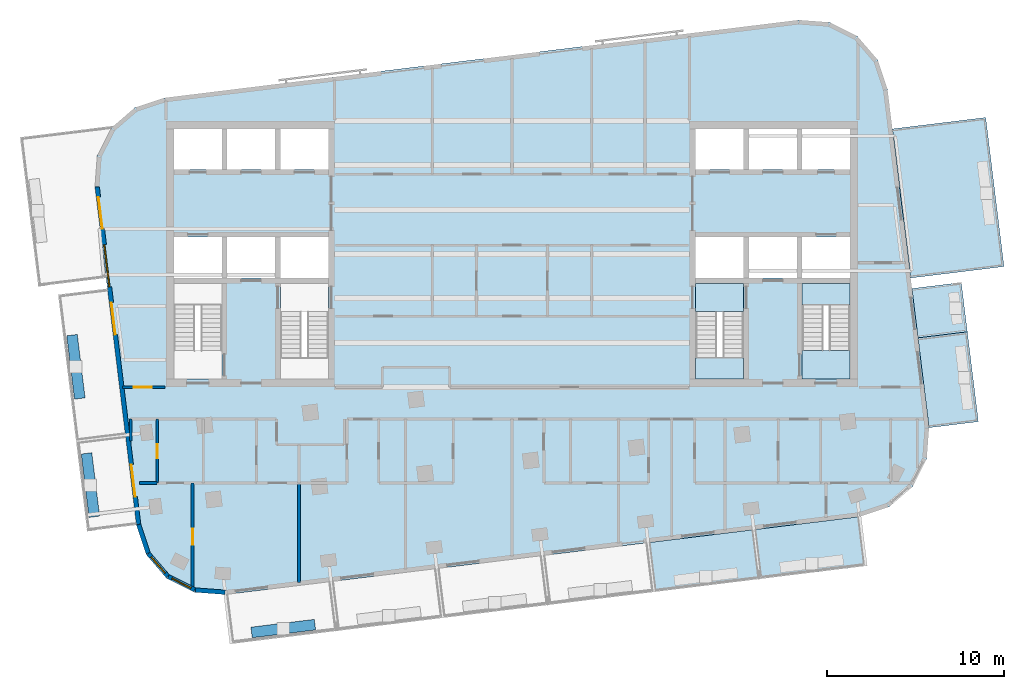
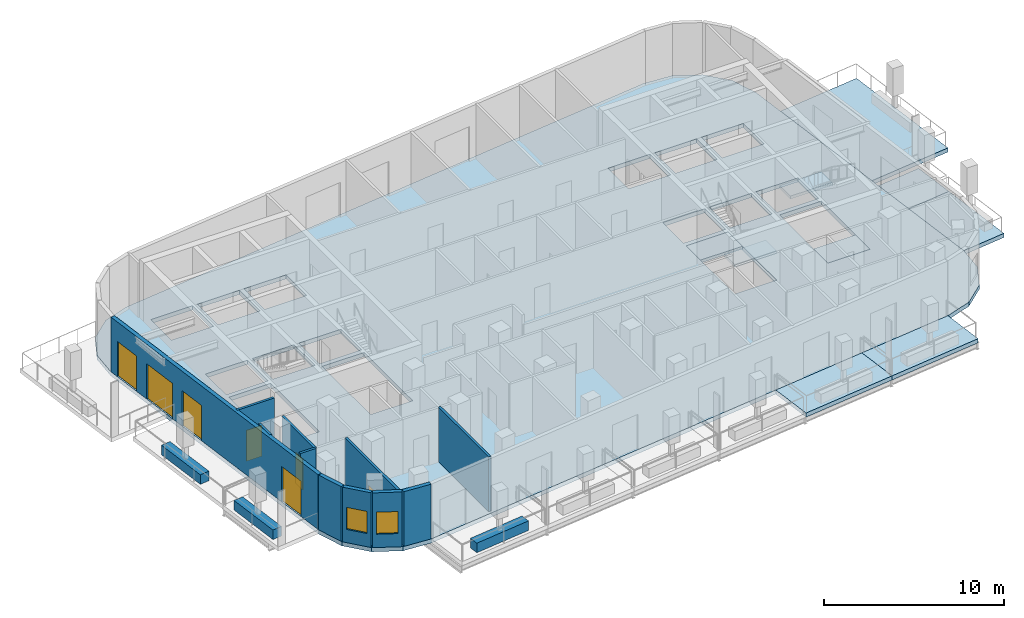
# One storey, part 2 of 11: 14 walls, 10 slabs, 6 doors, 3 windows, 9 openings, 2 elements without a shape of their own.
"""IFC4 building model written with IfcOpenShell, lengths in metres."""

from ifc_helpers import new_model, si_unit, direction, frame, frame_2d, origin, place, context, subcontext, project, spatial, polyline, rectangle, outline, extrude, material, layer, layer_set, type_object, element, fill, aggregate, save


model = new_model("IFC4")

# Units and contexts
model_context = context("Model", 3, precision=1e-05, world=origin(), true_north=direction((0.0, 1.0)))
body_context = subcontext(model_context, "Body", "Model", "MODEL_VIEW")
ifc_project = project(units=[si_unit("LENGTHUNIT", "METRE"), si_unit("AREAUNIT", "SQUARE_METRE"), si_unit("VOLUMEUNIT", "CUBIC_METRE"), si_unit("PLANEANGLEUNIT", "RADIAN"), si_unit("MASSUNIT", "GRAM", prefix="KILO")], contexts=[model_context])

# Site, building, storey
site_placement = place(None, origin())
site = spatial("IfcSite", under=ifc_project, at=site_placement, CompositionType="ELEMENT")
building_placement = place(site_placement, origin())
building = spatial("IfcBuilding", under=site, at=building_placement, Name="Torana Hotel and Residences", CompositionType="ELEMENT")
storey_placement = place(building_placement, frame((0.0, 0.0, 326.60009765625)))
storey = spatial("IfcBuildingStorey", under=building, at=storey_placement, Name="L86", CompositionType="ELEMENT", Elevation=326.60009765625)

# Slabs
ifc_material_1 = material(Name="Concrete C40/50", Category="concrete")
ifc_layer_1 = layer(ifc_material_1, 0.280029296875)
ifc_layer_set_1 = layer_set([ifc_layer_1], Name="BAL1 BALCONY SLAB 280")
slab_type_1 = type_object("IfcSlabType", Name="BAL1 BALCONY SLAB 280", PredefinedType="USERDEFINED", material=ifc_layer_set_1)
slab_1_placement = place(storey_placement, frame((0.0, 0.0, -0.280029296875)))
element("IfcSlab", 1, at=slab_1_placement, inside=storey, type_object=slab_type_1, Name="Balcony 05", ObjectType="BALCONY", PredefinedType="USERDEFINED", context=body_context, shape_type="SweptSolid", body=[
    extrude(outline(polyline([(8.014892578125, -26.542724609375), (13.97021484375, -25.8115234375), (13.62890625, -23.032470703125), (7.673583984375, -23.763671875), (8.014892578125, -26.542724609375)])), origin(), (0.0, 0.0, 1.0), 0.280029296875),
])
slab_2_placement = place(storey_placement, frame((0.0, 0.0, -0.280029296875)))
element("IfcSlab", 2, at=slab_2_placement, inside=storey, type_object=slab_type_1, Name="Balcony 06", ObjectType="BALCONY", PredefinedType="USERDEFINED", context=body_context, shape_type="SweptSolid", body=[
    extrude(outline(polyline([(13.97021484375, -25.8115234375), (19.92529296875, -25.080322265625), (19.584228515625, -22.30126953125), (13.62890625, -23.032470703125), (13.97021484375, -25.8115234375)])), origin(), (0.0, 0.0, 1.0), 0.280029296875),
])
slab_3_placement = place(storey_placement, frame((0.0, 0.0, -0.280029296875)))
element("IfcSlab", 3, at=slab_3_placement, inside=storey, type_object=slab_type_1, Name="Balcony 10", ObjectType="BALCONY", PredefinedType="USERDEFINED", context=body_context, shape_type="SweptSolid", body=[
    extrude(outline(polyline([(23.502197265625, -17.286376953125), (26.281494140625, -16.945068359375), (25.659912109375, -11.88330078125), (22.880615234375, -12.224365234375), (23.502197265625, -17.286376953125)])), origin(), (0.0, 0.0, 1.0), 0.280029296875),
])
slab_4_placement = place(storey_placement, frame((0.0, 0.0, -0.280029296875)))
element("IfcSlab", 4, at=slab_4_placement, inside=storey, type_object=slab_type_1, Name="Balcony 11", ObjectType="BALCONY", PredefinedType="USERDEFINED", context=body_context, shape_type="SweptSolid", body=[
    extrude(outline(polyline([(22.880615234375, -12.224365234375), (25.659912109375, -11.88330078125), (25.318603515625, -9.104248046875), (22.53955078125, -9.445556640625), (22.880615234375, -12.224365234375)])), origin(), (0.0, 0.0, 1.0), 0.280029296875),
])
slab_5_placement = place(storey_placement, frame((0.0, 0.0, -0.280029296875)))
element("IfcSlab", 5, at=slab_5_placement, inside=storey, type_object=slab_type_1, Name="Balcony 12", ObjectType="BALCONY", PredefinedType="USERDEFINED", context=body_context, shape_type="SweptSolid", body=[
    extrude(outline(polyline([(22.46630859375, -8.85009765625), (27.726806640625, -8.2041015625), (26.695556640625, 0.19580078125), (21.43505859375, -0.449951171875), (22.46630859375, -8.85009765625)])), origin(), (0.0, 0.0, 1.0), 0.280029296875),
])
ifc_material_2 = material(Name="Concrete C40/50", Category="concrete")
ifc_layer_2 = layer(ifc_material_2, 0.280029296875)
ifc_layer_set_2 = layer_set([ifc_layer_2], Name="FLOOR SLAB PT 280")
slab_type_2 = type_object("IfcSlabType", Name="FLOOR SLAB PT 280", PredefinedType="FLOOR", material=ifc_layer_set_2)
slab_6_placement = place(storey_placement, frame((0.0, 0.0, -0.280029296875)))
element("IfcSlab", 6, at=slab_6_placement, inside=storey, type_object=slab_type_2, Name="Floor slab", PredefinedType="FLOOR", context=body_context, shape_type="SweptSolid", body=[
    extrude(outline(polyline([(21.162353515625, 1.7705078125), (20.612548828125, 3.43798828125), (19.46630859375, 4.76806640625), (17.8984375, 5.558349609375), (16.1474609375, 5.6884765625), (-19.584228515625, 1.30126953125), (-21.251708984375, 0.75146484375), (-22.581787109375, -0.394775390625), (-23.3720703125, -1.962646484375), (-23.502197265625, -3.713623046875), (-21.162353515625, -22.7705078125), (-20.612548828125, -24.43798828125), (-19.46630859375, -25.76806640625), (-17.8984375, -26.558349609375), (-16.1474609375, -26.6884765625), (19.584228515625, -22.30126953125), (21.251708984375, -21.75146484375), (22.581787109375, -20.605224609375), (23.3720703125, -19.037353515625), (23.502197265625, -17.286376953125), (21.162353515625, 1.7705078125)]), holes=[polyline([(-13.050048828125, -14.550048828125), (-10.35009765625, -14.550048828125), (-10.35009765625, -9.14990234375), (-13.050048828125, -9.14990234375), (-13.050048828125, -14.550048828125)]), polyline([(-19.050048828125, -14.550048828125), (-16.35009765625, -14.550048828125), (-16.35009765625, -9.14990234375), (-19.050048828125, -9.14990234375), (-19.050048828125, -14.550048828125)]), polyline([(-19.050048828125, -2.75), (-16.35009765625, -2.75), (-16.35009765625, -0.449951171875), (-19.050048828125, -0.449951171875), (-19.050048828125, -2.75)]), polyline([(-13.050048828125, -2.75), (-10.35009765625, -2.75), (-10.35009765625, -0.449951171875), (-13.050048828125, -0.449951171875), (-13.050048828125, -2.75)]), polyline([(-16.050048828125, -2.75), (-13.35009765625, -2.75), (-13.35009765625, -0.449951171875), (-16.050048828125, -0.449951171875), (-16.050048828125, -2.75)]), polyline([(-13.050048828125, -8.85009765625), (-10.35009765625, -8.85009765625), (-10.35009765625, -6.550048828125), (-13.050048828125, -6.550048828125), (-13.050048828125, -8.85009765625)]), polyline([(-16.050048828125, -8.85009765625), (-13.35009765625, -8.85009765625), (-13.35009765625, -6.550048828125), (-16.050048828125, -6.550048828125), (-16.050048828125, -8.85009765625)]), polyline([(-19.050048828125, -8.85009765625), (-16.35009765625, -8.85009765625), (-16.35009765625, -6.550048828125), (-19.050048828125, -6.550048828125), (-19.050048828125, -8.85009765625)]), polyline([(10.35009765625, -14.550048828125), (13.050048828125, -14.550048828125), (13.050048828125, -9.14990234375), (10.35009765625, -9.14990234375), (10.35009765625, -14.550048828125)]), polyline([(16.35009765625, -14.550048828125), (19.050048828125, -14.550048828125), (19.050048828125, -9.14990234375), (16.35009765625, -9.14990234375), (16.35009765625, -14.550048828125)]), polyline([(16.35009765625, -2.75), (19.050048828125, -2.75), (19.050048828125, -0.449951171875), (16.35009765625, -0.449951171875), (16.35009765625, -2.75)]), polyline([(10.35009765625, -2.75), (13.050048828125, -2.75), (13.050048828125, -0.449951171875), (10.35009765625, -0.449951171875), (10.35009765625, -2.75)]), polyline([(13.35009765625, -2.75), (16.050048828125, -2.75), (16.050048828125, -0.449951171875), (13.35009765625, -0.449951171875), (13.35009765625, -2.75)]), polyline([(10.35009765625, -8.85009765625), (13.050048828125, -8.85009765625), (13.050048828125, -6.550048828125), (10.35009765625, -6.550048828125), (10.35009765625, -8.85009765625)]), polyline([(13.35009765625, -8.85009765625), (16.050048828125, -8.85009765625), (16.050048828125, -6.550048828125), (13.35009765625, -6.550048828125), (13.35009765625, -8.85009765625)]), polyline([(16.35009765625, -8.85009765625), (19.050048828125, -8.85009765625), (19.050048828125, -6.550048828125), (16.35009765625, -6.550048828125), (16.35009765625, -8.85009765625)])]), origin(), (0.0, 0.0, 1.0), 0.280029296875),
])

# Stair, slabs
ifc_material_3 = material(Name="Concrete C40/50 precast", Category="concrete")
stair_type_1 = type_object("IfcStairType", Name="STAIR ST3 HALF TURN 1200", PredefinedType="HALF_TURN_STAIR", material=ifc_material_3)
stair_1_placement = place(storey_placement, origin())
stair_1 = element("IfcStair", 7, at=stair_1_placement, inside=storey, type_object=stair_type_1, Name="Stair ST3 L86", PredefinedType="HALF_TURN_STAIR")
ifc_material_4 = material(Name="Concrete C40/50 precast", Category="concrete")
ifc_layer_3 = layer(ifc_material_4, 0.199951171875)
ifc_layer_set_3 = layer_set([ifc_layer_3], Name="STAIR LANDING 200")
slab_type_3 = type_object("IfcSlabType", Name="STAIR LANDING 200", PredefinedType="LANDING", material=ifc_layer_set_3)
slab_7_placement = place(storey_placement, frame((0.0, 0.0, 1.7998046875)))
slab_7 = element("IfcSlab", 8, at=slab_7_placement, type_object=slab_type_3, Name="ST3 landing 1", PredefinedType="LANDING", context=body_context, shape_type="SweptSolid", body=[
    extrude(outline(polyline([(10.35009765625, -14.550048828125), (13.050048828125, -14.550048828125), (13.050048828125, -13.35009765625), (10.35009765625, -13.35009765625), (10.35009765625, -14.550048828125)])), origin(), (0.0, 0.0, 1.0), 0.2001953125),
])
slab_8_placement = place(storey_placement, frame((0.0, 0.0, -0.2001953125)))
slab_8 = element("IfcSlab", 9, at=slab_8_placement, type_object=slab_type_3, Name="ST3 landing 2", PredefinedType="LANDING", context=body_context, shape_type="SweptSolid", body=[
    extrude(outline(polyline([(10.35009765625, -10.75), (13.050048828125, -10.75), (13.050048828125, -9.14990234375), (10.35009765625, -9.14990234375), (10.35009765625, -10.75)])), origin(), (0.0, 0.0, 1.0), 0.2001953125),
])
aggregate(stair_1, [slab_7, slab_8])

ifc_material_5 = material(Name="Concrete C40/50 precast", Category="concrete")
stair_type_2 = type_object("IfcStairType", Name="STAIR ST4 HALF TURN 1200", PredefinedType="HALF_TURN_STAIR", material=ifc_material_5)
stair_2_placement = place(storey_placement, origin())
stair_2 = element("IfcStair", 10, at=stair_2_placement, inside=storey, type_object=stair_type_2, Name="Stair ST4 L86", PredefinedType="HALF_TURN_STAIR")
slab_9_placement = place(storey_placement, frame((0.0, 0.0, 1.7998046875)))
slab_9 = element("IfcSlab", 11, at=slab_9_placement, type_object=slab_type_3, Name="ST4 landing 1", PredefinedType="LANDING", context=body_context, shape_type="SweptSolid", body=[
    extrude(outline(polyline([(16.35009765625, -10.35009765625), (19.050048828125, -10.35009765625), (19.050048828125, -9.14990234375), (16.35009765625, -9.14990234375), (16.35009765625, -10.35009765625)])), origin(), (0.0, 0.0, 1.0), 0.2001953125),
])
slab_10_placement = place(storey_placement, frame((0.0, 0.0, -0.2001953125)))
slab_10 = element("IfcSlab", 12, at=slab_10_placement, type_object=slab_type_3, Name="ST4 landing 2", PredefinedType="LANDING", context=body_context, shape_type="SweptSolid", body=[
    extrude(outline(polyline([(16.35009765625, -14.550048828125), (19.050048828125, -14.550048828125), (19.050048828125, -12.949951171875), (16.35009765625, -12.949951171875), (16.35009765625, -14.550048828125)])), origin(), (0.0, 0.0, 1.0), 0.2001953125),
])
aggregate(stair_2, [slab_9, slab_10])

# Wall, openings, doors, window
ifc_material_6 = material(Name="Black aluminium composite panel", Category="aluminium")
ifc_layer_4 = layer(ifc_material_6, 0.00390625, Name="Cladding", Category="cladding")
ifc_material_7 = material(Name="Ventilated air cavity")
ifc_layer_5 = layer(ifc_material_7, 0.0400390625, Name="Ventilated cavity", Category="cavity")
ifc_material_8 = material(Name="Mineral wool insulation")
ifc_layer_6 = layer(ifc_material_8, 0.090087890625, Name="Insulation", Category="insulation")
ifc_material_9 = material(Name="Steel S280GD", Category="steel")
ifc_layer_7 = layer(ifc_material_9, 0.092041015625, Name="Steel stud frame", Category="structure")
ifc_material_10 = material(Name="Fire rated plasterboard")
ifc_layer_8 = layer(ifc_material_10, 0.011962890625, Name="Inner board", Category="finish")
ifc_layer_9 = layer(ifc_material_10, 0.011962890625, Name="Second board", Category="finish")
ifc_layer_set_4 = layer_set([ifc_layer_4, ifc_layer_5, ifc_layer_6, ifc_layer_7, ifc_layer_8, ifc_layer_9], Name="EW1 EXTERNAL WALL BLACK METAL CLAD 250")
wall_type_1 = type_object("IfcWallType", Name="EW1 EXTERNAL WALL BLACK METAL CLAD 250", PredefinedType="SOLIDWALL", material=ifc_layer_set_4)
wall_1_placement = place(storey_placement, frame((-23.375, -3.722900390625, 0.0), z_axis=(0.0, 0.0, 1.0), x_axis=(0.121862878281, -0.992546945437, 0.0)))
wall_1 = element("IfcWall", 13, at=wall_1_placement, inside=storey, type_object=wall_type_1, Name="External wall L86 e0.9", PredefinedType="SOLIDWALL", context=body_context, shape_type="SweptSolid", body=[
    extrude(rectangle(XDim=19.150634765625, YDim=0.25, at=frame_2d((9.5751953125, 0.0))), origin(), (0.0, 0.0, 1.0), 3.719970703125),
])
opening_1_placement = place(wall_1_placement, frame((0.574951171875, 0.0, 0.0)))
opening_1 = element("IfcOpeningElement", 14, at=opening_1_placement, cuts=wall_1, Name="Opening L86-E10", PredefinedType="OPENING", context=body_context, shape_type="SweptSolid", body=[
    extrude(rectangle(XDim=1.800048828125, YDim=2.39990234375, at=frame_2d((0.89990234375, 1.199951171875))), frame((0.0, 0.135009765625, 0.0), z_axis=(0.0, -1.0, 0.0), x_axis=(1.0, 0.0, 0.0)), (0.0, 0.0, 1.0), 0.27001953125),
])
opening_2_placement = place(wall_1_placement, frame((3.275390625, 0.0, 0.0)))
opening_2 = element("IfcOpeningElement", 15, at=opening_2_placement, cuts=wall_1, Name="Opening W6", PredefinedType="OPENING", context=body_context, shape_type="SweptSolid", body=[
    extrude(rectangle(XDim=2.39990234375, YDim=2.39990234375, at=frame_2d((1.199951171875, 1.199951171875))), frame((0.0, 0.135009765625, 0.0), z_axis=(0.0, -1.0, 0.0), x_axis=(1.0, 0.0, 0.0)), (0.0, 0.0, 1.0), 0.27001953125),
])
opening_3_placement = place(wall_1_placement, frame((6.57568359375, 0.0, 0.0)))
opening_3 = element("IfcOpeningElement", 16, at=opening_3_placement, cuts=wall_1, Name="Opening L86-E11", PredefinedType="OPENING", context=body_context, shape_type="SweptSolid", body=[
    extrude(rectangle(XDim=1.800048828125, YDim=2.39990234375, at=frame_2d((0.89990234375, 1.199951171875))), frame((0.0, 0.135009765625, 0.0), z_axis=(0.0, -1.0, 0.0), x_axis=(1.0, 0.0, 0.0)), (0.0, 0.0, 1.0), 0.27001953125),
])
opening_4_placement = place(wall_1_placement, frame((15.77490234375, 0.0, 0.0)))
opening_4 = element("IfcOpeningElement", 17, at=opening_4_placement, cuts=wall_1, Name="Opening L86-E12", PredefinedType="OPENING", context=body_context, shape_type="SweptSolid", body=[
    extrude(rectangle(XDim=1.800048828125, YDim=2.39990234375, at=frame_2d((0.89990234375, 1.199951171875))), frame((0.0, 0.135009765625, 0.0), z_axis=(0.0, -1.0, 0.0), x_axis=(1.0, 0.0, 0.0)), (0.0, 0.0, 1.0), 0.27001953125),
])
ifc_material_11 = material(Name="Dark glass in black aluminium frame", Category="aluminium")
door_type_1 = type_object("IfcDoorType", Name="DB1 BALCONY DOOR 1800x2400", OperationType="DOUBLE_DOOR_SINGLE_SWING", PredefinedType="DOOR", material=ifc_material_11)
door_1_placement = place(opening_1_placement, origin())
door_1 = element("IfcDoor", 18, at=door_1_placement, inside=storey, type_object=door_type_1, Name="Balcony door L86", OperationType="DOUBLE_DOOR_SINGLE_SWING", OverallHeight=2.39990234375, OverallWidth=1.800048828125, PredefinedType="DOOR", context=body_context, shape_type="SweptSolid", body=[
    extrude(rectangle(XDim=1.800048828125, YDim=2.39990234375, at=frame_2d((0.89990234375, 1.199951171875))), frame((0.0, 0.02490234375, 0.0), z_axis=(0.0, -1.0, 0.0), x_axis=(1.0, 0.0, 0.0)), (0.0, 0.0, 1.0), 0.050048828125),
])
fill(opening_1, door_1)
door_2_placement = place(opening_3_placement, origin())
door_2 = element("IfcDoor", 19, at=door_2_placement, inside=storey, type_object=door_type_1, Name="Balcony door L86", OperationType="DOUBLE_DOOR_SINGLE_SWING", OverallHeight=2.39990234375, OverallWidth=1.800048828125, PredefinedType="DOOR", context=body_context, shape_type="SweptSolid", body=[
    extrude(rectangle(XDim=1.800048828125, YDim=2.39990234375, at=frame_2d((0.89990234375, 1.199951171875))), frame((0.0, 0.02490234375, 0.0), z_axis=(0.0, -1.0, 0.0), x_axis=(1.0, 0.0, 0.0)), (0.0, 0.0, 1.0), 0.050048828125),
])
fill(opening_3, door_2)
door_3_placement = place(opening_4_placement, origin())
door_3 = element("IfcDoor", 20, at=door_3_placement, inside=storey, type_object=door_type_1, Name="Balcony door L86", OperationType="DOUBLE_DOOR_SINGLE_SWING", OverallHeight=2.39990234375, OverallWidth=1.800048828125, PredefinedType="DOOR", context=body_context, shape_type="SweptSolid", body=[
    extrude(rectangle(XDim=1.800048828125, YDim=2.39990234375, at=frame_2d((0.89990234375, 1.199951171875))), frame((0.0, 0.02490234375, 0.0), z_axis=(0.0, -1.0, 0.0), x_axis=(1.0, 0.0, 0.0)), (0.0, 0.0, 1.0), 0.050048828125),
])
fill(opening_4, door_3)
ifc_material_12 = material(Name="Dark glass in black aluminium frame", Category="aluminium")
window_type_1 = type_object("IfcWindowType", Name="W6 CLUB GLAZED BAY 2400x2400", PartitioningType="SINGLE_PANEL", PredefinedType="WINDOW", material=ifc_material_12)
window_1_placement = place(opening_2_placement, origin())
window_1 = element("IfcWindow", 21, at=window_1_placement, inside=storey, type_object=window_type_1, Name="Window L86", OverallHeight=2.39990234375, OverallWidth=2.39990234375, PartitioningType="SINGLE_PANEL", PredefinedType="WINDOW", context=body_context, shape_type="SweptSolid", body=[
    extrude(rectangle(XDim=2.39990234375, YDim=2.39990234375, at=frame_2d((1.199951171875, 1.199951171875))), frame((0.0, 0.030029296875, 0.0), z_axis=(0.0, -1.0, 0.0), x_axis=(1.0, 0.0, 0.0)), (0.0, 0.0, 1.0), 0.06005859375),
])
fill(opening_2, window_1)

# Wall
wall_2_placement = place(storey_placement, frame((-21.035888671875, -22.754638671875, 0.0), z_axis=(0.0, 0.0, 1.0), x_axis=(0.313046160822, -0.949737911844, 0.0)))
element("IfcWall", 22, at=wall_2_placement, inside=storey, type_object=wall_type_1, Name="External wall L86 e0.10", PredefinedType="SOLIDWALL", context=body_context, shape_type="SweptSolid", body=[
    extrude(rectangle(XDim=1.681396484375, YDim=0.25, at=frame_2d((0.8408203125, 0.0))), origin(), (0.0, 0.0, 1.0), 3.719970703125),
])

# Wall, opening, window
wall_3_placement = place(storey_placement, frame((-20.4853515625, -24.39404296875, 0.0), z_axis=(0.0, 0.0, 1.0), x_axis=(0.652755886531, -0.757568315466, 0.0)))
wall_3 = element("IfcWall", 23, at=wall_3_placement, inside=storey, type_object=wall_type_1, Name="External wall L86 e0.11", PredefinedType="SOLIDWALL", context=body_context, shape_type="SweptSolid", body=[
    extrude(rectangle(XDim=1.65625, YDim=0.25, at=frame_2d((0.828125, 0.0))), origin(), (0.0, 0.0, 1.0), 3.719970703125),
])
opening_5_placement = place(wall_3_placement, frame((0.228271484375, 0.0, 0.89990234375)))
opening_5 = element("IfcOpeningElement", 24, at=opening_5_placement, cuts=wall_3, Name="Opening W5", PredefinedType="OPENING", context=body_context, shape_type="SweptSolid", body=[
    extrude(rectangle(XDim=1.199951171875, YDim=1.5, at=frame_2d((0.60009765625, 0.75))), frame((0.0, 0.135009765625, 0.0), z_axis=(0.0, -1.0, 0.0), x_axis=(1.0, 0.0, 0.0)), (0.0, 0.0, 1.0), 0.27001953125),
])
ifc_material_13 = material(Name="Dark glass in black aluminium frame", Category="aluminium")
window_type_2 = type_object("IfcWindowType", Name="W5 CORNER FACET WINDOW 1200x1500", PartitioningType="SINGLE_PANEL", PredefinedType="WINDOW", material=ifc_material_13)
window_2_placement = place(opening_5_placement, origin())
window_2 = element("IfcWindow", 25, at=window_2_placement, inside=storey, type_object=window_type_2, Name="Window L86 e0.11", OverallHeight=1.5, OverallWidth=1.199951171875, PartitioningType="SINGLE_PANEL", PredefinedType="WINDOW", context=body_context, shape_type="SweptSolid", body=[
    extrude(rectangle(XDim=1.199951171875, YDim=1.5, at=frame_2d((0.60009765625, 0.75))), frame((0.0, 0.030029296875, 0.0), z_axis=(0.0, -1.0, 0.0), x_axis=(1.0, 0.0, 0.0)), (0.0, 0.0, 1.0), 0.06005859375),
])
fill(opening_5, window_2)

wall_4_placement = place(storey_placement, frame((-19.36572265625, -25.678955078125, 0.0), z_axis=(0.0, 0.0, 1.0), x_axis=(0.893007580524, -0.450041621549, 0.0)))
wall_4 = element("IfcWall", 26, at=wall_4_placement, inside=storey, type_object=wall_type_1, Name="External wall L86 e0.12", PredefinedType="SOLIDWALL", context=body_context, shape_type="SweptSolid", body=[
    extrude(rectangle(XDim=1.65625, YDim=0.25, at=frame_2d((0.828125, 0.0))), origin(), (0.0, 0.0, 1.0), 3.719970703125),
])
opening_6_placement = place(wall_4_placement, frame((0.228271484375, 0.0, 0.89990234375)))
opening_6 = element("IfcOpeningElement", 27, at=opening_6_placement, cuts=wall_4, Name="Opening W5", PredefinedType="OPENING", context=body_context, shape_type="SweptSolid", body=[
    extrude(rectangle(XDim=1.199951171875, YDim=1.5, at=frame_2d((0.60009765625, 0.75))), frame((0.0, 0.135009765625, 0.0), z_axis=(0.0, -1.0, 0.0), x_axis=(1.0, 0.0, 0.0)), (0.0, 0.0, 1.0), 0.27001953125),
])
window_3_placement = place(opening_6_placement, origin())
window_3 = element("IfcWindow", 28, at=window_3_placement, inside=storey, type_object=window_type_2, Name="Window L86 e0.12", OverallHeight=1.5, OverallWidth=1.199951171875, PartitioningType="SINGLE_PANEL", PredefinedType="WINDOW", context=body_context, shape_type="SweptSolid", body=[
    extrude(rectangle(XDim=1.199951171875, YDim=1.5, at=frame_2d((0.60009765625, 0.75))), frame((0.0, 0.030029296875, 0.0), z_axis=(0.0, -1.0, 0.0), x_axis=(1.0, 0.0, 0.0)), (0.0, 0.0, 1.0), 0.06005859375),
])
fill(opening_6, window_3)

# Wall
wall_5_placement = place(storey_placement, frame((-17.839599609375, -26.4375, 0.0), z_axis=(0.0, 0.0, 1.0), x_axis=(0.997254267475, -0.074053534713, 0.0)))
element("IfcWall", 29, at=wall_5_placement, inside=storey, type_object=wall_type_1, Name="External wall L86 e0.13", PredefinedType="SOLIDWALL", context=body_context, shape_type="SweptSolid", body=[
    extrude(rectangle(XDim=1.681396484375, YDim=0.25, at=frame_2d((0.8408203125, 0.0))), origin(), (0.0, 0.0, 1.0), 3.719970703125),
])

# Wall, opening, door
ifc_material_14 = material(Name="Gypsum plaster")
ifc_layer_10 = layer(ifc_material_14, 0.014892578125, Name="Plaster", Category="finish")
ifc_material_15 = material(Name="Concrete blockwork", Category="masonry")
ifc_layer_11 = layer(ifc_material_15, 0.1201171875, Name="Blockwork", Category="structure")
ifc_layer_12 = layer(ifc_material_14, 0.014892578125, Name="Plaster", Category="finish")
ifc_layer_set_5 = layer_set([ifc_layer_10, ifc_layer_11, ifc_layer_12], Name="FIRE PARTITION 150 BLOCKWORK")
wall_type_2 = type_object("IfcWallType", Name="FIRE PARTITION 150 BLOCKWORK", PredefinedType="PARTITIONING", material=ifc_layer_set_5)
wall_6_placement = place(storey_placement, frame((-21.93505859375, -15.0, 0.0), z_axis=(0.0, 0.0, 1.0), x_axis=(1.0, 0.0, 0.0)))
wall_6 = element("IfcWall", 30, at=wall_6_placement, inside=storey, type_object=wall_type_2, Name="Partition L86", PredefinedType="PARTITIONING", context=body_context, shape_type="SweptSolid", body=[
    extrude(rectangle(XDim=2.385009765625, YDim=0.14990234375, at=frame_2d((1.1923828125, 0.0))), origin(), (0.0, 0.0, 1.0), 3.719970703125),
])
opening_7_placement = place(wall_6_placement, frame((0.626953125, 0.0, 0.0)))
opening_7 = element("IfcOpeningElement", 31, at=opening_7_placement, cuts=wall_6, Name="Opening L86-25", PredefinedType="OPENING", context=body_context, shape_type="SweptSolid", body=[
    extrude(rectangle(XDim=1.0, YDim=2.10009765625, at=frame_2d((0.5, 1.050048828125))), frame((0.0, 0.0849609375, 0.0), z_axis=(0.0, -1.0, 0.0), x_axis=(1.0, 0.0, 0.0)), (0.0, 0.0, 1.0), 0.169921875),
])
ifc_material_16 = material(Name="Steel S235", Category="steel")
door_type_2 = type_object("IfcDoorType", Name="CORE ROOM FIRE DOOR D14 1000x2100", OperationType="SINGLE_SWING_LEFT", PredefinedType="DOOR", material=ifc_material_16)
door_4_placement = place(opening_7_placement, origin())
door_4 = element("IfcDoor", 32, at=door_4_placement, inside=storey, type_object=door_type_2, Name="Door L86", OperationType="SINGLE_SWING_RIGHT", OverallHeight=2.10009765625, OverallWidth=1.0, PredefinedType="DOOR", context=body_context, shape_type="SweptSolid", body=[
    extrude(rectangle(XDim=1.0, YDim=2.10009765625, at=frame_2d((0.5, 1.050048828125))), frame((0.0, 0.02490234375, 0.0), z_axis=(0.0, -1.0, 0.0), x_axis=(1.0, 0.0, 0.0)), (0.0, 0.0, 1.0), 0.050048828125),
])
fill(opening_7, door_4)

# Wall
ifc_material_17 = material(Name="Gypsum plasterboard")
ifc_layer_13 = layer(ifc_material_17, 0.012451171875, Name="Plasterboard", Category="finish")
ifc_layer_14 = layer(ifc_material_17, 0.012451171875, Name="Plasterboard", Category="finish")
ifc_layer_15 = layer(ifc_material_9, 0.10009765625, Name="Steel studs with mineral wool", Category="insulation")
ifc_layer_16 = layer(ifc_material_17, 0.012451171875, Name="Plasterboard", Category="finish")
ifc_layer_17 = layer(ifc_material_17, 0.012451171875, Name="Plasterboard", Category="finish")
ifc_layer_set_6 = layer_set([ifc_layer_13, ifc_layer_14, ifc_layer_15, ifc_layer_16, ifc_layer_17], Name="PARTITION 150 PLASTERBOARD")
wall_type_3 = type_object("IfcWallType", Name="PARTITION 150 PLASTERBOARD", PredefinedType="PARTITIONING", material=ifc_layer_set_6)
wall_7_placement = place(storey_placement, frame((-12.0, -25.997802734375, 0.0), z_axis=(0.0, 0.0, 1.0), x_axis=(0.0, 1.0, 0.0)))
element("IfcWall", 33, at=wall_7_placement, inside=storey, type_object=wall_type_3, Name="Partition L86", PredefinedType="PARTITIONING", context=body_context, shape_type="SweptSolid", body=[
    extrude(rectangle(XDim=5.597900390625, YDim=0.14990234375, at=frame_2d((2.798828125, 0.0))), origin(), (0.0, 0.0, 1.0), 3.719970703125),
])

# Wall, opening, door
wall_8_placement = place(storey_placement, frame((-18.0, -26.238525390625, 0.0), z_axis=(0.0, 0.0, 1.0), x_axis=(0.0, 1.0, 0.0)))
wall_8 = element("IfcWall", 34, at=wall_8_placement, inside=storey, type_object=wall_type_3, Name="Partition L86", PredefinedType="PARTITIONING", context=body_context, shape_type="SweptSolid", body=[
    extrude(rectangle(XDim=5.838623046875, YDim=0.14990234375, at=frame_2d((2.91943359375, 0.0))), origin(), (0.0, 0.0, 1.0), 3.719970703125),
])
opening_8_placement = place(wall_8_placement, frame((2.3515625, 0.0, 0.0)))
opening_8 = element("IfcOpeningElement", 35, at=opening_8_placement, cuts=wall_8, Name="Opening L86-49", PredefinedType="OPENING", context=body_context, shape_type="SweptSolid", body=[
    extrude(rectangle(XDim=0.89990234375, YDim=2.10009765625, at=frame_2d((0.449951171875, 1.050048828125))), frame((0.0, 0.0849609375, 0.0), z_axis=(0.0, -1.0, 0.0), x_axis=(1.0, 0.0, 0.0)), (0.0, 0.0, 1.0), 0.169921875),
])
ifc_material_18 = material(Name="Timber door, oiled ash", Category="wood")
door_type_3 = type_object("IfcDoorType", Name="ROOM DOOR D7 900x2100", OperationType="SINGLE_SWING_LEFT", PredefinedType="DOOR", material=ifc_material_18)
door_5_placement = place(opening_8_placement, origin())
door_5 = element("IfcDoor", 36, at=door_5_placement, inside=storey, type_object=door_type_3, Name="Door L86", OperationType="SINGLE_SWING_RIGHT", OverallHeight=2.10009765625, OverallWidth=0.89990234375, PredefinedType="DOOR", context=body_context, shape_type="SweptSolid", body=[
    extrude(rectangle(XDim=0.89990234375, YDim=2.10009765625, at=frame_2d((0.449951171875, 1.050048828125))), frame((0.0, 0.02490234375, 0.0), z_axis=(0.0, -1.0, 0.0), x_axis=(1.0, 0.0, 0.0)), (0.0, 0.0, 1.0), 0.050048828125),
])
fill(opening_8, door_5)

# Walls
ifc_material_19 = material(Name="Concrete C40/50 precast", Category="concrete")
ifc_layer_18 = layer(ifc_material_19, 0.10009765625, Name="Planter shell", Category="structure")
ifc_material_20 = material(Name="Root resistant membrane")
ifc_layer_19 = layer(ifc_material_20, 0.00390625, Name="Waterproofing membrane", Category="membrane")
ifc_material_21 = material(Name="Drainage board with filter fleece")
ifc_layer_20 = layer(ifc_material_21, 0.02001953125, Name="Drainage board", Category="drainage")
ifc_material_22 = material(Name="Growing medium")
ifc_layer_21 = layer(ifc_material_22, 0.47607421875, Name="Planting substrate", Category="soil")
ifc_layer_set_7 = layer_set([ifc_layer_18, ifc_layer_19, ifc_layer_20, ifc_layer_21], Name="PL1 BALCONY PLANTER 600")
wall_type_4 = type_object("IfcWallType", Name="PL1 BALCONY PLANTER 600", PredefinedType="USERDEFINED", material=ifc_layer_set_7)
wall_9_placement = place(storey_placement, frame((-11.10302734375, -28.386474609375, 0.0), z_axis=(0.0, 0.0, 1.0), x_axis=(-0.992545758265, -0.121872547154, 0.0)))
element("IfcWall", 37, at=wall_9_placement, inside=storey, type_object=wall_type_4, Name="Planter 01", ObjectType="PLANTER", PredefinedType="USERDEFINED", context=body_context, shape_type="SweptSolid", body=[
    extrude(rectangle(XDim=3.599853515625, YDim=0.60009765625, at=frame_2d((1.7998046875, 0.0))), origin(), (0.0, 0.0, 1.0), 0.64990234375),
])
wall_10_placement = place(storey_placement, frame((-23.53662109375, -22.306396484375, 0.0), z_axis=(0.0, 0.0, 1.0), x_axis=(-0.121864343918, 0.992546765488, 0.0)))
element("IfcWall", 38, at=wall_10_placement, inside=storey, type_object=wall_type_4, Name="Planter 07", ObjectType="PLANTER", PredefinedType="USERDEFINED", context=body_context, shape_type="SweptSolid", body=[
    extrude(rectangle(XDim=3.60009765625, YDim=0.60009765625, at=frame_2d((1.800048828125, 0.0))), origin(), (0.0, 0.0, 1.0), 0.64990234375),
])
wall_11_placement = place(storey_placement, frame((-24.354736328125, -15.643798828125, 0.0), z_axis=(0.0, 0.0, 1.0), x_axis=(-0.121872547154, 0.992545758265, 0.0)))
element("IfcWall", 39, at=wall_11_placement, inside=storey, type_object=wall_type_4, Name="Planter 08", ObjectType="PLANTER", PredefinedType="USERDEFINED", context=body_context, shape_type="SweptSolid", body=[
    extrude(rectangle(XDim=3.599853515625, YDim=0.60009765625, at=frame_2d((1.7998046875, 0.0))), origin(), (0.0, 0.0, 1.0), 0.64990234375),
])

# Wall, opening, door
ifc_material_23 = material(Name="Ceramic tile on adhesive")
ifc_layer_22 = layer(ifc_material_23, 0.010009765625, Name="Wall tile", Category="finish")
ifc_material_24 = material(Name="Cement render")
ifc_layer_23 = layer(ifc_material_24, 0.010009765625, Name="Render", Category="finish")
ifc_layer_24 = layer(ifc_material_15, 0.110107421875, Name="Blockwork", Category="structure")
ifc_layer_25 = layer(ifc_material_24, 0.010009765625, Name="Render", Category="finish")
ifc_layer_26 = layer(ifc_material_23, 0.010009765625, Name="Wall tile", Category="finish")
ifc_layer_set_8 = layer_set([ifc_layer_22, ifc_layer_23, ifc_layer_24, ifc_layer_25, ifc_layer_26], Name="WC PARTITION 150")
wall_type_5 = type_object("IfcWallType", Name="WC PARTITION 150", PredefinedType="PLUMBINGWALL", material=ifc_layer_set_8)
wall_12_placement = place(storey_placement, frame((-19.989990234375, -20.39990234375, 0.0), z_axis=(0.0, 0.0, 1.0), x_axis=(0.0, 1.0, 0.0)))
wall_12 = element("IfcWall", 40, at=wall_12_placement, inside=storey, type_object=wall_type_5, Name="Partition L86", PredefinedType="PLUMBINGWALL", context=body_context, shape_type="SweptSolid", body=[
    extrude(rectangle(XDim=3.599853515625, YDim=0.14990234375, at=frame_2d((1.7998046875, 0.0))), origin(), (0.0, 0.0, 1.0), 3.719970703125),
])
opening_9_placement = place(wall_12_placement, frame((1.3798828125, 0.0, 0.0)))
opening_9 = element("IfcOpeningElement", 41, at=opening_9_placement, cuts=wall_12, Name="Opening L86-48", PredefinedType="OPENING", context=body_context, shape_type="SweptSolid", body=[
    extrude(rectangle(XDim=0.800048828125, YDim=2.10009765625, at=frame_2d((0.39990234375, 1.050048828125))), frame((0.0, 0.0849609375, 0.0), z_axis=(0.0, -1.0, 0.0), x_axis=(1.0, 0.0, 0.0)), (0.0, 0.0, 1.0), 0.169921875),
])
ifc_material_25 = material(Name="Timber door, painted", Category="wood")
door_type_4 = type_object("IfcDoorType", Name="BATH DOOR D13 800x2100", OperationType="SINGLE_SWING_LEFT", PredefinedType="DOOR", material=ifc_material_25)
door_6_placement = place(opening_9_placement, origin())
door_6 = element("IfcDoor", 42, at=door_6_placement, inside=storey, type_object=door_type_4, Name="Door L86", OperationType="SINGLE_SWING_LEFT", OverallHeight=2.10009765625, OverallWidth=0.800048828125, PredefinedType="DOOR", context=body_context, shape_type="SweptSolid", body=[
    extrude(rectangle(XDim=0.800048828125, YDim=2.10009765625, at=frame_2d((0.39990234375, 1.050048828125))), frame((0.0, 0.02490234375, 0.0), z_axis=(0.0, -1.0, 0.0), x_axis=(1.0, 0.0, 0.0)), (0.0, 0.0, 1.0), 0.050048828125),
])
fill(opening_9, door_6)

# Walls
wall_13_placement = place(storey_placement, frame((-21.489990234375, -18.050048828125, 0.0), z_axis=(0.0, 0.0, 1.0), x_axis=(0.0, 1.0, 0.0)))
element("IfcWall", 43, at=wall_13_placement, inside=storey, type_object=wall_type_5, Name="Partition L86", PredefinedType="PLUMBINGWALL", context=body_context, shape_type="SweptSolid", body=[
    extrude(rectangle(XDim=1.25, YDim=0.14990234375, at=frame_2d((0.625, 0.0))), origin(), (0.0, 0.0, 1.0), 3.719970703125),
])
wall_14_placement = place(storey_placement, frame((-20.989990234375, -20.39990234375, 0.0), z_axis=(0.0, 0.0, 1.0), x_axis=(1.0, 0.0, 0.0)))
element("IfcWall", 44, at=wall_14_placement, inside=storey, type_object=wall_type_5, Name="Partition L86", PredefinedType="PLUMBINGWALL", context=body_context, shape_type="SweptSolid", body=[
    extrude(rectangle(XDim=1.0, YDim=0.14990234375, at=frame_2d((0.5, 0.0))), origin(), (0.0, 0.0, 1.0), 3.719970703125),
])

save(model, "model.ifc")
